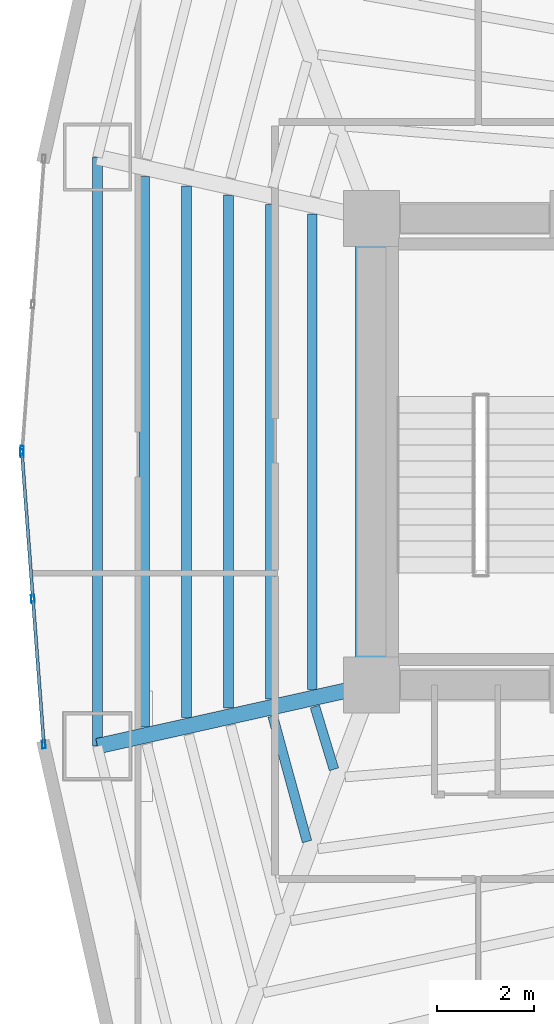
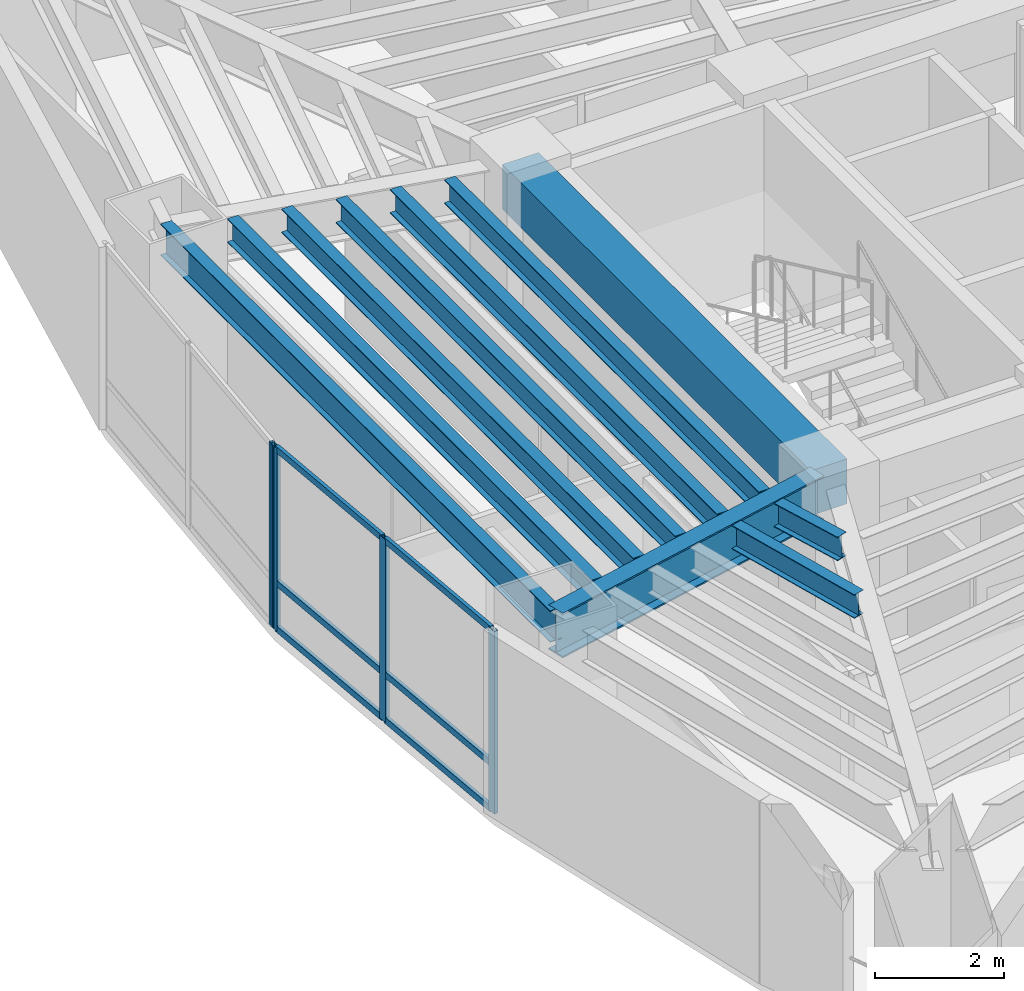
# One storey, part 3 of 17: 10 beams, 10 members, 2 elements without a shape of their own.
"""IFC4 building model written with IfcOpenShell, lengths in metres."""

from ifc_helpers import new_model, si_unit, direction, frame, origin, origin_2d, place, context, subcontext, project, spatial, rectangle, hollow_rectangle, i_section, extrude, material, layer, layer_set, material_profile, profile_set, type_object, element, aggregate, save


model = new_model("IFC4")

# Units and contexts
model_context = context("Model", 3, precision=1e-05, world=origin(), true_north=direction((0.0, 1.0)))
body_context = subcontext(model_context, "Body", "Model", "MODEL_VIEW")
ifc_project = project(units=[si_unit("LENGTHUNIT", "METRE"), si_unit("AREAUNIT", "SQUARE_METRE"), si_unit("VOLUMEUNIT", "CUBIC_METRE"), si_unit("PLANEANGLEUNIT", "RADIAN"), si_unit("MASSUNIT", "GRAM", prefix="KILO")], contexts=[model_context])

# Site, building, storey
site_placement = place(None, origin())
site = spatial("IfcSite", under=ifc_project, at=site_placement, CompositionType="ELEMENT")
building_placement = place(site_placement, origin())
building = spatial("IfcBuilding", under=site, at=building_placement, Name="Menara Vayukalpa", CompositionType="ELEMENT")
storey_placement = place(building_placement, frame((0.0, 0.0, 49.919921875)))
storey = spatial("IfcBuildingStorey", under=building, at=storey_placement, Name="L11", CompositionType="ELEMENT", Elevation=49.919921875)

# Beams
ifc_material_1 = material(Name="Concrete C60/75", Category="concrete")
ifc_material_profile_1 = material_profile(ifc_material_1, rectangle(XDim=0.64990234375, YDim=0.85009765625, at=origin_2d()), Name="RC 650x850")
ifc_profile_set_1 = profile_set([ifc_material_profile_1], Name="Concrete C60/75")
beam_type_1 = type_object("IfcBeamType", Name="BM-CB1", PredefinedType="BEAM", material=ifc_profile_set_1)
beam_1_placement = place(storey_placement, frame((17.800048828125, 17.199951171875, 3.045166015625), z_axis=(0.0, 1.0, 0.0), x_axis=(-1.0, 0.0, 0.0)))
element("IfcBeam", 1, at=beam_1_placement, inside=storey, type_object=beam_type_1, Name="L11 Core Tie Beam CBR7", PredefinedType="BEAM", context=body_context, shape_type="SweptSolid", body=[
    extrude(rectangle(XDim=0.64990234375, YDim=0.85009765625, at=origin_2d()), origin(), (0.0, 0.0, 1.0), 9.60009765625),
])
ifc_material_2 = material(Name="Steel S355", Category="steel")
ifc_material_profile_2 = material_profile(ifc_material_2, i_section(OverallWidth=0.320068359375, OverallDepth=0.85009765625, WebThickness=0.01611328125, FlangeThickness=0.030029296875, at=origin_2d()), Name="WF 850x320x16x30")
ifc_profile_set_2 = profile_set([ifc_material_profile_2], Name="Steel S355")
beam_type_2 = type_object("IfcBeamType", Name="BM-PG2", PredefinedType="BEAM", material=ifc_profile_set_2)
beam_2_placement = place(storey_placement, frame((17.555908203125, 17.1455078125, 3.045166015625), z_axis=(-0.975920137818, -0.218128138031, 0.0), x_axis=(0.218128138031, -0.975920137818, 0.0)))
element("IfcBeam", 2, at=beam_2_placement, inside=storey, type_object=beam_type_2, Name="L11 Primary Radial Girder RG06", PredefinedType="BEAM", context=body_context, shape_type="SweptSolid", body=[
    extrude(i_section(OverallWidth=0.320068359375, OverallDepth=0.85009765625, WebThickness=0.01611328125, FlangeThickness=0.030029296875, at=origin_2d()), origin(), (0.0, 0.0, 1.0), 5.524658203125),
])
ifc_material_3 = material(Name="Steel S355", Category="steel")
ifc_material_profile_3 = material_profile(ifc_material_3, i_section(OverallWidth=0.199951171875, OverallDepth=0.449951171875, WebThickness=0.009033203125, FlangeThickness=0.013916015625, at=origin_2d()), Name="WF 450x200x9x14")
ifc_profile_set_3 = profile_set([ifc_material_profile_3], Name="Steel S355")
beam_type_3 = type_object("IfcBeamType", Name="BM-SJ1", PredefinedType="JOIST", material=ifc_profile_set_3)
beam_3_placement = place(storey_placement, frame((16.58544921875, 26.891357421875, 3.2451171875), z_axis=(0.0, -1.0, 0.0), x_axis=(1.0, 0.0, 0.0)))
element("IfcBeam", 3, at=beam_3_placement, inside=storey, type_object=beam_type_3, Name="L11 Secondary Floor Joist SJ05-1", PredefinedType="JOIST", context=body_context, shape_type="SweptSolid", body=[
    extrude(i_section(OverallWidth=0.199951171875, OverallDepth=0.449951171875, WebThickness=0.009033203125, FlangeThickness=0.013916015625, at=origin_2d()), origin(), (0.0, 0.0, 1.0), 9.78271484375),
])
beam_4_placement = place(storey_placement, frame((15.722900390625, 27.084228515625, 3.2451171875), z_axis=(0.0, -1.0, 0.0), x_axis=(1.0, 0.0, 0.0)))
element("IfcBeam", 4, at=beam_4_placement, inside=storey, type_object=beam_type_3, Name="L11 Secondary Floor Joist SJ05-2", PredefinedType="JOIST", context=body_context, shape_type="SweptSolid", body=[
    extrude(i_section(OverallWidth=0.199951171875, OverallDepth=0.449951171875, WebThickness=0.009033203125, FlangeThickness=0.013916015625, at=origin_2d()), origin(), (0.0, 0.0, 1.0), 10.16845703125),
])
beam_5_placement = place(storey_placement, frame((14.860107421875, 27.277099609375, 3.2451171875), z_axis=(0.0, -1.0, 0.0), x_axis=(1.0, 0.0, 0.0)))
element("IfcBeam", 5, at=beam_5_placement, inside=storey, type_object=beam_type_3, Name="L11 Secondary Floor Joist SJ05-3", PredefinedType="JOIST", context=body_context, shape_type="SweptSolid", body=[
    extrude(i_section(OverallWidth=0.199951171875, OverallDepth=0.449951171875, WebThickness=0.009033203125, FlangeThickness=0.013916015625, at=origin_2d()), origin(), (0.0, 0.0, 1.0), 10.55419921875),
])
beam_6_placement = place(storey_placement, frame((13.997314453125, 27.469970703125, 3.2451171875), z_axis=(0.0, -1.0, 0.0), x_axis=(1.0, 0.0, 0.0)))
element("IfcBeam", 6, at=beam_6_placement, inside=storey, type_object=beam_type_3, Name="L11 Secondary Floor Joist SJ05-4", PredefinedType="JOIST", context=body_context, shape_type="SweptSolid", body=[
    extrude(i_section(OverallWidth=0.199951171875, OverallDepth=0.449951171875, WebThickness=0.009033203125, FlangeThickness=0.013916015625, at=origin_2d()), origin(), (0.0, 0.0, 1.0), 10.93994140625),
])
beam_7_placement = place(storey_placement, frame((13.134765625, 27.66259765625, 3.2451171875), z_axis=(0.0, -1.0, 0.0), x_axis=(1.0, 0.0, 0.0)))
element("IfcBeam", 7, at=beam_7_placement, inside=storey, type_object=beam_type_3, Name="L11 Secondary Floor Joist SJ05-5", PredefinedType="JOIST", context=body_context, shape_type="SweptSolid", body=[
    extrude(i_section(OverallWidth=0.199951171875, OverallDepth=0.449951171875, WebThickness=0.009033203125, FlangeThickness=0.013916015625, at=origin_2d()), origin(), (0.0, 0.0, 1.0), 11.3251953125),
])
beam_8_placement = place(storey_placement, frame((16.6376953125, 16.75634765625, 3.2451171875), z_axis=(0.291010568606, -0.956719838281, 0.0), x_axis=(0.956719838281, 0.291010568606, 0.0)))
element("IfcBeam", 8, at=beam_8_placement, inside=storey, type_object=beam_type_3, Name="L11 Secondary Floor Joist SJ06-1", PredefinedType="JOIST", context=body_context, shape_type="SweptSolid", body=[
    extrude(i_section(OverallWidth=0.199951171875, OverallDepth=0.449951171875, WebThickness=0.009033203125, FlangeThickness=0.013916015625, at=origin_2d()), origin(), (0.0, 0.0, 1.0), 1.3505859375),
])
beam_9_placement = place(storey_placement, frame((15.770263671875, 16.56201171875, 3.2451171875), z_axis=(0.263618546233, -0.964627006714, 0.0), x_axis=(0.964627006714, 0.263618546233, 0.0)))
element("IfcBeam", 9, at=beam_9_placement, inside=storey, type_object=beam_type_3, Name="L11 Secondary Floor Joist SJ06-2", PredefinedType="JOIST", context=body_context, shape_type="SweptSolid", body=[
    extrude(i_section(OverallWidth=0.199951171875, OverallDepth=0.449951171875, WebThickness=0.009033203125, FlangeThickness=0.013916015625, at=origin_2d()), origin(), (0.0, 0.0, 1.0), 2.67919921875),
])
ifc_material_4 = material(Name="Steel S355", Category="steel")
ifc_material_profile_4 = material_profile(ifc_material_4, i_section(OverallWidth=0.199951171875, OverallDepth=0.60009765625, WebThickness=0.010986328125, FlangeThickness=0.01708984375, at=origin_2d()), Name="WF 600x200x11x17")
ifc_profile_set_4 = profile_set([ifc_material_profile_4], Name="Steel S355")
beam_type_4 = type_object("IfcBeamType", Name="BM-SP1", PredefinedType="SPANDREL", material=ifc_profile_set_4)
beam_10_placement = place(storey_placement, frame((12.164306640625, 28.0595703125, 3.170166015625), z_axis=(0.0, -1.0, 0.0), x_axis=(1.0, 0.0, 0.0)))
element("IfcBeam", 10, at=beam_10_placement, inside=storey, type_object=beam_type_4, Name="L11 Perimeter Spandrel Beam SP05", PredefinedType="SPANDREL", context=body_context, shape_type="SweptSolid", body=[
    extrude(i_section(OverallWidth=0.199951171875, OverallDepth=0.60009765625, WebThickness=0.010986328125, FlangeThickness=0.01708984375, at=origin_2d()), origin(), (0.0, 0.0, 1.0), 12.119140625),
])

# Curtain wall, member
ifc_material_5 = material(Name="Anodised Terracotta Aluminium Alloy 6063-T6", Category="masonry")
ifc_layer = layer(ifc_material_5, 0.1650390625)
ifc_layer_set = layer_set([ifc_layer], Name="Anodised Terracotta Aluminium Alloy 6063-T6")
curtain_wall_type = type_object("IfcCurtainWallType", Name="CW-CW2", PredefinedType="USERDEFINED", material=ifc_layer_set)
curtain_wall_1_placement = place(storey_placement, origin())
curtain_wall_1 = element("IfcCurtainWall", 11, at=curtain_wall_1_placement, inside=storey, type_object=curtain_wall_type, Name="L11 Low Rise Terracotta Ribbon Curtain Wall CW2 10", ObjectType="UNITISED", PredefinedType="USERDEFINED")
ifc_material_6 = material(Name="Anodised Terracotta Aluminium Alloy 6063-T6", Category="masonry")
ifc_material_profile_5 = material_profile(ifc_material_6, hollow_rectangle(XDim=0.070068359375, YDim=0.1650390625, WallThickness=0.00390625, at=origin_2d()), Name="ALU 70x165x4")
ifc_profile_set_5 = profile_set([ifc_material_profile_5], Name="Anodised Terracotta Aluminium Alloy 6063-T6")
member_type_1 = type_object("IfcMemberType", Name="CWM-CW2", PredefinedType="MULLION", material=ifc_profile_set_5)
member_1_placement = place(storey_placement, frame((10.6123046875, 22.034912109375, 0.0), z_axis=(0.0, 0.0, 1.0), x_axis=(0.997198941676, -0.074794857576, 0.0)))
member_1 = element("IfcMember", 12, at=member_1_placement, type_object=member_type_1, Name="CW2 mullion 3", PredefinedType="MULLION", context=body_context, shape_type="SweptSolid", body=[
    extrude(hollow_rectangle(XDim=0.070068359375, YDim=0.1650390625, WallThickness=0.00390625, at=origin_2d()), origin(), (0.0, 0.0, 1.0), 3.469970703125),
])
aggregate(curtain_wall_1, [member_1])

# Curtain wall, members
curtain_wall_2_placement = place(storey_placement, origin())
curtain_wall_2 = element("IfcCurtainWall", 13, at=curtain_wall_2_placement, inside=storey, type_object=curtain_wall_type, Name="L11 Low Rise Terracotta Ribbon Curtain Wall CW2 11", ObjectType="UNITISED", PredefinedType="USERDEFINED")
member_2_placement = place(storey_placement, frame((10.6123046875, 21.965087890625, 0.0), z_axis=(0.0, 0.0, 1.0), x_axis=(0.997198941676, 0.074794857576, 0.0)))
member_2 = element("IfcMember", 14, at=member_2_placement, type_object=member_type_1, Name="CW2 mullion 1", PredefinedType="MULLION", context=body_context, shape_type="SweptSolid", body=[
    extrude(hollow_rectangle(XDim=0.070068359375, YDim=0.1650390625, WallThickness=0.00390625, at=origin_2d()), origin(), (0.0, 0.0, 1.0), 3.469970703125),
])
member_3_placement = place(storey_placement, frame((10.8369140625, 18.97021484375, 0.0), z_axis=(0.0, 0.0, 1.0), x_axis=(0.997198941676, 0.074794857576, 0.0)))
member_3 = element("IfcMember", 15, at=member_3_placement, type_object=member_type_1, Name="CW2 mullion 2", PredefinedType="MULLION", context=body_context, shape_type="SweptSolid", body=[
    extrude(hollow_rectangle(XDim=0.070068359375, YDim=0.1650390625, WallThickness=0.00390625, at=origin_2d()), origin(), (0.0, 0.0, 1.0), 3.469970703125),
])
member_4_placement = place(storey_placement, frame((11.0615234375, 15.975341796875, 0.0), z_axis=(0.0, 0.0, 1.0), x_axis=(0.997198941676, 0.074794857576, 0.0)))
member_4 = element("IfcMember", 16, at=member_4_placement, type_object=member_type_1, Name="CW2 mullion 3", PredefinedType="MULLION", context=body_context, shape_type="SweptSolid", body=[
    extrude(hollow_rectangle(XDim=0.070068359375, YDim=0.1650390625, WallThickness=0.00390625, at=origin_2d()), origin(), (0.0, 0.0, 1.0), 3.469970703125),
])
ifc_material_7 = material(Name="Anodised Terracotta Aluminium Alloy 6063-T6", Category="masonry")
ifc_material_profile_6 = material_profile(ifc_material_7, hollow_rectangle(XDim=0.06494140625, YDim=0.1201171875, WallThickness=0.00341796875, at=origin_2d()), Name="ALU 65x120x3.5")
ifc_profile_set_6 = profile_set([ifc_material_profile_6], Name="Anodised Terracotta Aluminium Alloy 6063-T6")
member_type_2 = type_object("IfcMemberType", Name="CWT-CW2", PredefinedType="USERDEFINED", material=ifc_profile_set_6)
member_5_placement = place(storey_placement, frame((10.614990234375, 21.93017578125, 0.032470703125), z_axis=(0.074742357441, -0.997202878057, 0.0), x_axis=(0.997202878057, 0.074742357441, 0.0)))
member_5 = element("IfcMember", 17, at=member_5_placement, type_object=member_type_2, Name="CW2 transom 1.1", ObjectType="TRANSOM", PredefinedType="USERDEFINED", context=body_context, shape_type="SweptSolid", body=[
    extrude(hollow_rectangle(XDim=0.06494140625, YDim=0.1201171875, WallThickness=0.00341796875, at=origin_2d()), origin(), (0.0, 0.0, 1.0), 2.933349609375),
])
member_6_placement = place(storey_placement, frame((10.614990234375, 21.93017578125, 0.900146484375), z_axis=(0.074742357441, -0.997202878057, 0.0), x_axis=(0.997202878057, 0.074742357441, 0.0)))
member_6 = element("IfcMember", 18, at=member_6_placement, type_object=member_type_2, Name="CW2 transom 1.2", ObjectType="TRANSOM", PredefinedType="USERDEFINED", context=body_context, shape_type="SweptSolid", body=[
    extrude(hollow_rectangle(XDim=0.06494140625, YDim=0.1201171875, WallThickness=0.00341796875, at=origin_2d()), origin(), (0.0, 0.0, 1.0), 2.933349609375),
])
member_7_placement = place(storey_placement, frame((10.614990234375, 21.93017578125, 3.4375), z_axis=(0.074742357441, -0.997202878057, 0.0), x_axis=(0.997202878057, 0.074742357441, 0.0)))
member_7 = element("IfcMember", 19, at=member_7_placement, type_object=member_type_2, Name="CW2 transom 1.3", ObjectType="TRANSOM", PredefinedType="USERDEFINED", context=body_context, shape_type="SweptSolid", body=[
    extrude(hollow_rectangle(XDim=0.06494140625, YDim=0.1201171875, WallThickness=0.00341796875, at=origin_2d()), origin(), (0.0, 0.0, 1.0), 2.933349609375),
])
member_8_placement = place(storey_placement, frame((10.839599609375, 18.935302734375, 0.032470703125), z_axis=(0.074825123723, -0.997196671103, 0.0), x_axis=(0.997196671103, 0.074825123723, 0.0)))
member_8 = element("IfcMember", 20, at=member_8_placement, type_object=member_type_2, Name="CW2 transom 2.1", ObjectType="TRANSOM", PredefinedType="USERDEFINED", context=body_context, shape_type="SweptSolid", body=[
    extrude(hollow_rectangle(XDim=0.06494140625, YDim=0.1201171875, WallThickness=0.00341796875, at=origin_2d()), origin(), (0.0, 0.0, 1.0), 2.933349609375),
])
member_9_placement = place(storey_placement, frame((10.839599609375, 18.935302734375, 0.900146484375), z_axis=(0.074825123723, -0.997196671103, 0.0), x_axis=(0.997196671103, 0.074825123723, 0.0)))
member_9 = element("IfcMember", 21, at=member_9_placement, type_object=member_type_2, Name="CW2 transom 2.2", ObjectType="TRANSOM", PredefinedType="USERDEFINED", context=body_context, shape_type="SweptSolid", body=[
    extrude(hollow_rectangle(XDim=0.06494140625, YDim=0.1201171875, WallThickness=0.00341796875, at=origin_2d()), origin(), (0.0, 0.0, 1.0), 2.933349609375),
])
member_10_placement = place(storey_placement, frame((10.839599609375, 18.935302734375, 3.4375), z_axis=(0.074825123723, -0.997196671103, 0.0), x_axis=(0.997196671103, 0.074825123723, 0.0)))
member_10 = element("IfcMember", 22, at=member_10_placement, type_object=member_type_2, Name="CW2 transom 2.3", ObjectType="TRANSOM", PredefinedType="USERDEFINED", context=body_context, shape_type="SweptSolid", body=[
    extrude(hollow_rectangle(XDim=0.06494140625, YDim=0.1201171875, WallThickness=0.00341796875, at=origin_2d()), origin(), (0.0, 0.0, 1.0), 2.933349609375),
])
aggregate(curtain_wall_2, [member_2, member_3, member_4, member_5, member_6, member_7, member_8, member_9, member_10])

save(model, "model.ifc")
